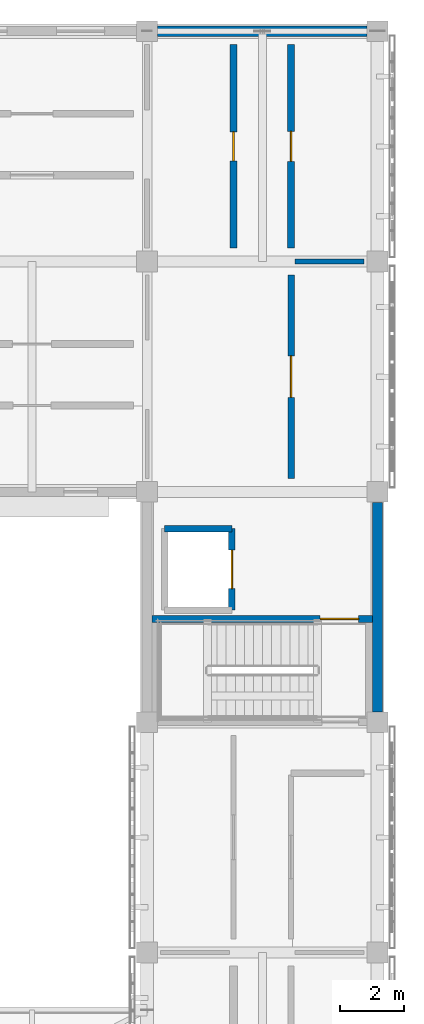
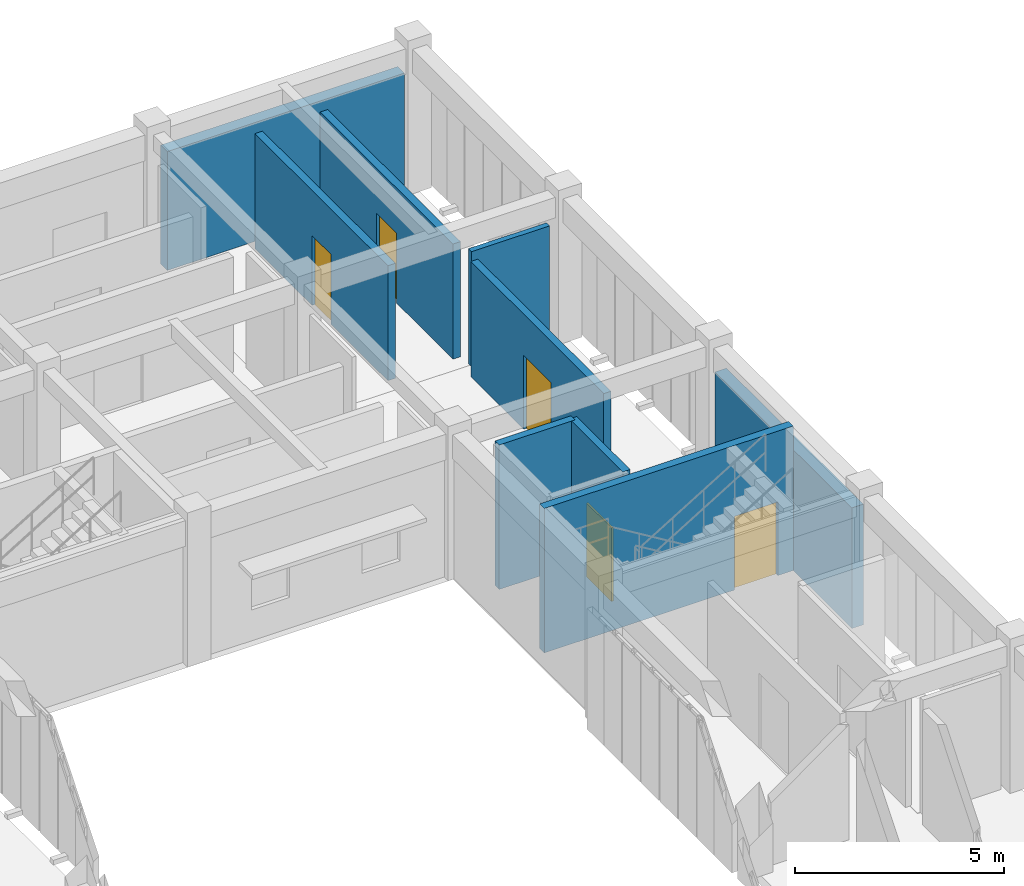
# One storey, part 141 of 171: 9 walls, 5 doors, 5 openings.
"""IFC4 building model written with IfcOpenShell, lengths in metres."""

from ifc_helpers import new_model, si_unit, direction, frame, frame_2d, origin, place, context, subcontext, project, spatial, rectangle, extrude, material, layer, layer_set, type_object, element, fill, save


model = new_model("IFC4")

# Units and contexts
model_context = context("Model", 3, precision=1e-05, world=origin(), true_north=direction((0.0, 1.0)))
body_context = subcontext(model_context, "Body", "Model", "MODEL_VIEW")
ifc_project = project(units=[si_unit("LENGTHUNIT", "METRE"), si_unit("AREAUNIT", "SQUARE_METRE"), si_unit("VOLUMEUNIT", "CUBIC_METRE"), si_unit("PLANEANGLEUNIT", "RADIAN"), si_unit("MASSUNIT", "GRAM", prefix="KILO")], contexts=[model_context])

# Site, building, storey
site_placement = place(None, origin())
site = spatial("IfcSite", under=ifc_project, at=site_placement, CompositionType="ELEMENT")
building_placement = place(site_placement, origin())
building = spatial("IfcBuilding", under=site, at=building_placement, Name="Aldebral Square Health Centre", CompositionType="ELEMENT")
storey_placement = place(building_placement, frame((0.0, 0.0, 4.5)))
storey = spatial("IfcBuildingStorey", under=building, at=storey_placement, Name="L01", CompositionType="ELEMENT", Elevation=4.5)

# Walls
ifc_material_1 = material(Name="Precast concrete C40/50 insulated panel", Category="concrete")
ifc_layer_1 = layer(ifc_material_1, 0.320068359375, Name="Precast concrete C40/50 insulated panel", Category="concrete")
ifc_layer_set_1 = layer_set([ifc_layer_1], Name="Precast concrete C40/50 insulated panel")
wall_type_1 = type_object("IfcWallType", Name="EW-PRE-320", PredefinedType="STANDARD", material=ifc_layer_set_1)
wall_1_placement = place(storey_placement, frame((165.60009765625, 93.925048828125, 0.0), z_axis=(0.0, 0.0, 1.0), x_axis=(0.0, 1.0, 0.0)))
element("IfcWall", 1, at=wall_1_placement, inside=storey, type_object=wall_type_1, Name="L01 V5 exterior wall L01-V5-22-13-E", PredefinedType="STANDARD", context=body_context, shape_type="SweptSolid", body=[
    extrude(rectangle(XDim=6.550048828125, YDim=0.320068359375, at=frame_2d((3.27490234375, 0.0))), origin(), (0.0, 0.0, 1.0), 3.52001953125),
])
wall_2_placement = place(storey_placement, frame((165.27490234375, 115.199951171875, 0.0), z_axis=(0.0, 0.0, 1.0), x_axis=(-1.0, 0.0, 0.0)))
element("IfcWall", 2, at=wall_2_placement, inside=storey, type_object=wall_type_1, Name="L01 V5 exterior wall L01-V5-22-15-N", PredefinedType="STANDARD", context=body_context, shape_type="SweptSolid", body=[
    extrude(rectangle(XDim=6.5498046875, YDim=0.320068359375, at=frame_2d((3.27490234375, 0.0))), origin(), (0.0, 0.0, 1.0), 3.469970703125),
])

# Wall, opening, door
ifc_material_2 = material(Name="Concrete C35/45 compartment wall", Category="concrete")
ifc_layer_2 = layer(ifc_material_2, 0.199951171875, Name="Concrete C35/45 compartment wall", Category="concrete")
ifc_layer_set_2 = layer_set([ifc_layer_2], Name="Concrete C35/45 compartment wall")
wall_type_2 = type_object("IfcWallType", Name="IW-CMP-200", PredefinedType="SOLIDWALL", material=ifc_layer_set_2)
wall_3_placement = place(storey_placement, frame((162.89990234375, 101.219970703125, 0.0), z_axis=(0.0, 0.0, 1.0), x_axis=(0.0, 1.0, 0.0)))
wall_3 = element("IfcWall", 3, at=wall_3_placement, inside=storey, type_object=wall_type_2, Name="L01 Clean Supply Store 23.15E corridor wall", PredefinedType="SOLIDWALL", context=body_context, shape_type="SweptSolid", body=[
    extrude(rectangle(XDim=6.360107421875, YDim=0.199951171875, at=frame_2d((3.18017578125, 0.0))), origin(), (0.0, 0.0, 1.0), 3.360107421875),
])
opening_1_placement = place(wall_3_placement, frame((2.530029296875, 0.0, 0.0)))
opening_1 = element("IfcOpeningElement", 4, at=opening_1_placement, cuts=wall_3, Name="Opening D-0359", PredefinedType="OPENING", context=body_context, shape_type="SweptSolid", body=[
    extrude(rectangle(XDim=1.300048828125, YDim=2.14990234375, at=frame_2d((0.64990234375, 1.074951171875))), frame((0.0, 0.10986328125, 0.0), z_axis=(0.0, -1.0, 0.0), x_axis=(1.0, 0.0, 0.0)), (0.0, 0.0, 1.0), 0.219970703125),
])
ifc_material_3 = material(Name="Radiography shielded fire door")
door_type_1 = type_object("IfcDoorType", Name="ID-IM-130", OperationType="NOTDEFINED", PredefinedType="DOOR", material=ifc_material_3)
door_1_placement = place(opening_1_placement, origin())
door_1 = element("IfcDoor", 5, at=door_1_placement, inside=storey, type_object=door_type_1, Name="L01 Clean Supply Store 23.15E door", OperationType="SINGLE_SWING_RIGHT", OverallHeight=2.14990234375, OverallWidth=1.300048828125, PredefinedType="DOOR", context=body_context, shape_type="SweptSolid", body=[
    extrude(rectangle(XDim=1.300048828125, YDim=2.14990234375, at=frame_2d((0.64990234375, 1.074951171875))), frame((0.0, 0.02490234375, 0.0), z_axis=(0.0, -1.0, 0.0), x_axis=(1.0, 0.0, 0.0)), (0.0, 0.0, 1.0), 0.050048828125),
])
fill(opening_1, door_1)

ifc_material_4 = material(Name="Concrete C40/50", Category="concrete")
ifc_layer_3 = layer(ifc_material_4, 0.219970703125, Name="Concrete C40/50", Category="concrete")
ifc_layer_set_3 = layer_set([ifc_layer_3], Name="Concrete C40/50")
wall_type_3 = type_object("IfcWallType", Name="IW-CORE-280", PredefinedType="SHEAR", material=ifc_layer_set_3)
wall_4_placement = place(storey_placement, frame((158.56005859375, 96.830078125, 0.0), z_axis=(0.0, 0.0, 1.0), x_axis=(1.0, 0.0, 0.0)))
wall_4 = element("IfcWall", 6, at=wall_4_placement, inside=storey, type_object=wall_type_3, Name="L01 WC-C3 shaft wall N", PredefinedType="SHEAR", context=body_context, shape_type="SweptSolid", body=[
    extrude(rectangle(XDim=6.8798828125, YDim=0.219970703125, at=frame_2d((3.43994140625, 0.0))), origin(), (0.0, 0.0, 1.0), 4.219970703125),
])
opening_2_placement = place(wall_4_placement, frame((5.25, 0.0, 0.0)))
opening_2 = element("IfcOpeningElement", 7, at=opening_2_placement, cuts=wall_4, Name="Opening D-0033", PredefinedType="OPENING", context=body_context, shape_type="SweptSolid", body=[
    extrude(rectangle(XDim=1.199951171875, YDim=2.14990234375, at=frame_2d((0.60009765625, 1.074951171875))), frame((0.0, 0.1201171875, 0.0), z_axis=(0.0, -1.0, 0.0), x_axis=(1.0, 0.0, 0.0)), (0.0, 0.0, 1.0), 0.239990234375),
])
ifc_material_5 = material(Name="Fire-rated steel stair door", Category="steel")
door_type_2 = type_object("IfcDoorType", Name="ID-ST-120", OperationType="NOTDEFINED", PredefinedType="DOOR", material=ifc_material_5)
door_2_placement = place(opening_2_placement, origin())
door_2 = element("IfcDoor", 8, at=door_2_placement, inside=storey, type_object=door_type_2, Name="L01 ST-03 fire door", OperationType="SINGLE_SWING_RIGHT", OverallHeight=2.14990234375, OverallWidth=1.199951171875, PredefinedType="DOOR", context=body_context, shape_type="SweptSolid", body=[
    extrude(rectangle(XDim=1.199951171875, YDim=2.14990234375, at=frame_2d((0.60009765625, 1.074951171875))), frame((0.0, 0.02490234375, 0.0), z_axis=(0.0, -1.0, 0.0), x_axis=(1.0, 0.0, 0.0)), (0.0, 0.0, 1.0), 0.050048828125),
])
fill(opening_2, door_2)

# Wall
ifc_layer_4 = layer(ifc_material_4, 0.199951171875, Name="Concrete C40/50", Category="concrete")
ifc_layer_set_4 = layer_set([ifc_layer_4], Name="Concrete C40/50")
wall_type_4 = type_object("IfcWallType", Name="IW-LFT-250", PredefinedType="SHEAR", material=ifc_layer_set_4)
wall_5_placement = place(storey_placement, frame((158.949951171875, 99.64990234375, 0.0), z_axis=(0.0, 0.0, 1.0), x_axis=(1.0, 0.0, 0.0)))
element("IfcWall", 9, at=wall_5_placement, inside=storey, type_object=wall_type_4, Name="L01 LF-03 shaft wall N", PredefinedType="SHEAR", context=body_context, shape_type="SweptSolid", body=[
    extrude(rectangle(XDim=2.10009765625, YDim=0.199951171875, at=frame_2d((1.050048828125, 0.0))), origin(), (0.0, 0.0, 1.0), 4.219970703125),
])

# Wall, opening, door
wall_6_placement = place(storey_placement, frame((161.050048828125, 97.10009765625, 0.0), z_axis=(0.0, 0.0, 1.0), x_axis=(0.0, 1.0, 0.0)))
wall_6 = element("IfcWall", 10, at=wall_6_placement, inside=storey, type_object=wall_type_4, Name="L01 LF-03 landing wall", PredefinedType="SHEAR", context=body_context, shape_type="SweptSolid", body=[
    extrude(rectangle(XDim=2.5498046875, YDim=0.199951171875, at=frame_2d((1.27490234375, 0.0))), origin(), (0.0, 0.0, 1.0), 4.219970703125),
])
opening_3_placement = place(wall_6_placement, frame((0.675048828125, 0.0, 0.0)))
opening_3 = element("IfcOpeningElement", 11, at=opening_3_placement, cuts=wall_6, Name="Opening D-0035", PredefinedType="OPENING", context=body_context, shape_type="SweptSolid", body=[
    extrude(rectangle(XDim=1.199951171875, YDim=2.14990234375, at=frame_2d((0.60009765625, 1.074951171875))), frame((0.0, 0.10986328125, 0.0), z_axis=(0.0, -1.0, 0.0), x_axis=(1.0, 0.0, 0.0)), (0.0, 0.0, 1.0), 0.219970703125),
])
ifc_material_6 = material(Name="Stainless steel passenger lift landing door", Category="steel")
door_type_3 = type_object("IfcDoorType", Name="ID-LD-120", OperationType="SLIDING_TO_LEFT", PredefinedType="DOOR", material=ifc_material_6)
door_3_placement = place(opening_3_placement, origin())
door_3 = element("IfcDoor", 12, at=door_3_placement, inside=storey, type_object=door_type_3, Name="L01 LF-03 sliding landing door", OperationType="SLIDING_TO_LEFT", OverallHeight=2.14990234375, OverallWidth=1.199951171875, PredefinedType="DOOR", context=body_context, shape_type="SweptSolid", body=[
    extrude(rectangle(XDim=1.199951171875, YDim=2.14990234375, at=frame_2d((0.60009765625, 1.074951171875))), frame((0.0, 0.02490234375, 0.0), z_axis=(0.0, -1.0, 0.0), x_axis=(1.0, 0.0, 0.0)), (0.0, 0.0, 1.0), 0.050048828125),
])
fill(opening_3, door_3)

ifc_material_7 = material(Name="Moisture-resistant sanitary chase wall")
ifc_layer_5 = layer(ifc_material_7, 0.2099609375, Name="Moisture-resistant sanitary chase wall")
ifc_layer_set_5 = layer_set([ifc_layer_5], Name="Moisture-resistant sanitary chase wall")
wall_type_5 = type_object("IfcWallType", Name="IW-PLB-210", PredefinedType="PLUMBINGWALL", material=ifc_layer_set_5)
wall_7_placement = place(storey_placement, frame((161.10009765625, 108.419921875, 0.0), z_axis=(0.0, 0.0, 1.0), x_axis=(0.0, 1.0, 0.0)))
wall_7 = element("IfcWall", 13, at=wall_7_placement, inside=storey, type_object=wall_type_5, Name="L01 Accessible WC 23.16W corridor wall", PredefinedType="PLUMBINGWALL", context=body_context, shape_type="SweptSolid", body=[
    extrude(rectangle(XDim=6.360107421875, YDim=0.2099609375, at=frame_2d((3.18017578125, 0.0))), origin(), (0.0, 0.0, 1.0), 3.360107421875),
])
opening_4_placement = place(wall_7_placement, frame((2.72998046875, 0.0, 0.0)))
opening_4 = element("IfcOpeningElement", 14, at=opening_4_placement, cuts=wall_7, Name="Opening D-0360", PredefinedType="OPENING", context=body_context, shape_type="SweptSolid", body=[
    extrude(rectangle(XDim=0.89990234375, YDim=2.0400390625, at=frame_2d((0.449951171875, 1.02001953125))), frame((0.0, 0.114990234375, 0.0), z_axis=(0.0, -1.0, 0.0), x_axis=(1.0, 0.0, 0.0)), (0.0, 0.0, 1.0), 0.22998046875),
])
ifc_material_8 = material(Name="Clinical suite fire door")
door_type_4 = type_object("IfcDoorType", Name="ID-EXD-00", OperationType="NOTDEFINED", PredefinedType="DOOR", material=ifc_material_8)
door_4_placement = place(opening_4_placement, origin())
door_4 = element("IfcDoor", 15, at=door_4_placement, inside=storey, type_object=door_type_4, Name="L01 Accessible WC 23.16W door", OperationType="SINGLE_SWING_LEFT", OverallHeight=2.0400390625, OverallWidth=0.89990234375, PredefinedType="DOOR", context=body_context, shape_type="SweptSolid", body=[
    extrude(rectangle(XDim=0.89990234375, YDim=2.0400390625, at=frame_2d((0.449951171875, 1.02001953125))), frame((0.0, 0.02490234375, 0.0), z_axis=(0.0, -1.0, 0.0), x_axis=(1.0, 0.0, 0.0)), (0.0, 0.0, 1.0), 0.050048828125),
])
fill(opening_4, door_4)

wall_8_placement = place(storey_placement, frame((162.89990234375, 108.419921875, 0.0), z_axis=(0.0, 0.0, 1.0), x_axis=(0.0, 1.0, 0.0)))
wall_8 = element("IfcWall", 16, at=wall_8_placement, inside=storey, type_object=wall_type_5, Name="L01 Patient Toilet 23.16E corridor wall", PredefinedType="PLUMBINGWALL", context=body_context, shape_type="SweptSolid", body=[
    extrude(rectangle(XDim=6.360107421875, YDim=0.2099609375, at=frame_2d((3.18017578125, 0.0))), origin(), (0.0, 0.0, 1.0), 3.360107421875),
])
opening_5_placement = place(wall_8_placement, frame((2.7099609375, 0.0, 0.0)))
opening_5 = element("IfcOpeningElement", 17, at=opening_5_placement, cuts=wall_8, Name="Opening D-0361", PredefinedType="OPENING", context=body_context, shape_type="SweptSolid", body=[
    extrude(rectangle(XDim=0.93994140625, YDim=2.0400390625, at=frame_2d((0.469970703125, 1.02001953125))), frame((0.0, 0.114990234375, 0.0), z_axis=(0.0, -1.0, 0.0), x_axis=(1.0, 0.0, 0.0)), (0.0, 0.0, 1.0), 0.22998046875),
])
door_type_5 = type_object("IfcDoorType", Name="ID-EXD-01", OperationType="NOTDEFINED", PredefinedType="DOOR", material=ifc_material_8)
door_5_placement = place(opening_5_placement, origin())
door_5 = element("IfcDoor", 18, at=door_5_placement, inside=storey, type_object=door_type_5, Name="L01 Patient Toilet 23.16E door", OperationType="SINGLE_SWING_RIGHT", OverallHeight=2.0400390625, OverallWidth=0.93994140625, PredefinedType="DOOR", context=body_context, shape_type="SweptSolid", body=[
    extrude(rectangle(XDim=0.93994140625, YDim=2.0400390625, at=frame_2d((0.469970703125, 1.02001953125))), frame((0.0, 0.02490234375, 0.0), z_axis=(0.0, -1.0, 0.0), x_axis=(1.0, 0.0, 0.0)), (0.0, 0.0, 1.0), 0.050048828125),
])
fill(opening_5, door_5)

# Wall
ifc_material_9 = material(Name="Acoustic clinical gypsum partition")
ifc_layer_6 = layer(ifc_material_9, 0.14990234375, Name="Acoustic clinical gypsum partition")
ifc_layer_set_6 = layer_set([ifc_layer_6], Name="Acoustic clinical gypsum partition")
wall_type_6 = type_object("IfcWallType", Name="IW-PRT-150", PredefinedType="PARTITIONING", material=ifc_layer_set_6)
wall_9_placement = place(storey_placement, frame((163.02001953125, 108.0, 0.0), z_axis=(0.0, 0.0, 1.0), x_axis=(1.0, 0.0, 0.0)))
element("IfcWall", 19, at=wall_9_placement, inside=storey, type_object=wall_type_6, Name="L01 Clean Supply Store 23.15E demising partition", PredefinedType="PARTITIONING", context=body_context, shape_type="SweptSolid", body=[
    extrude(rectangle(XDim=2.159912109375, YDim=0.14990234375, at=frame_2d((1.080078125, 0.0))), origin(), (0.0, 0.0, 1.0), 3.360107421875),
])

save(model, "model.ifc")
